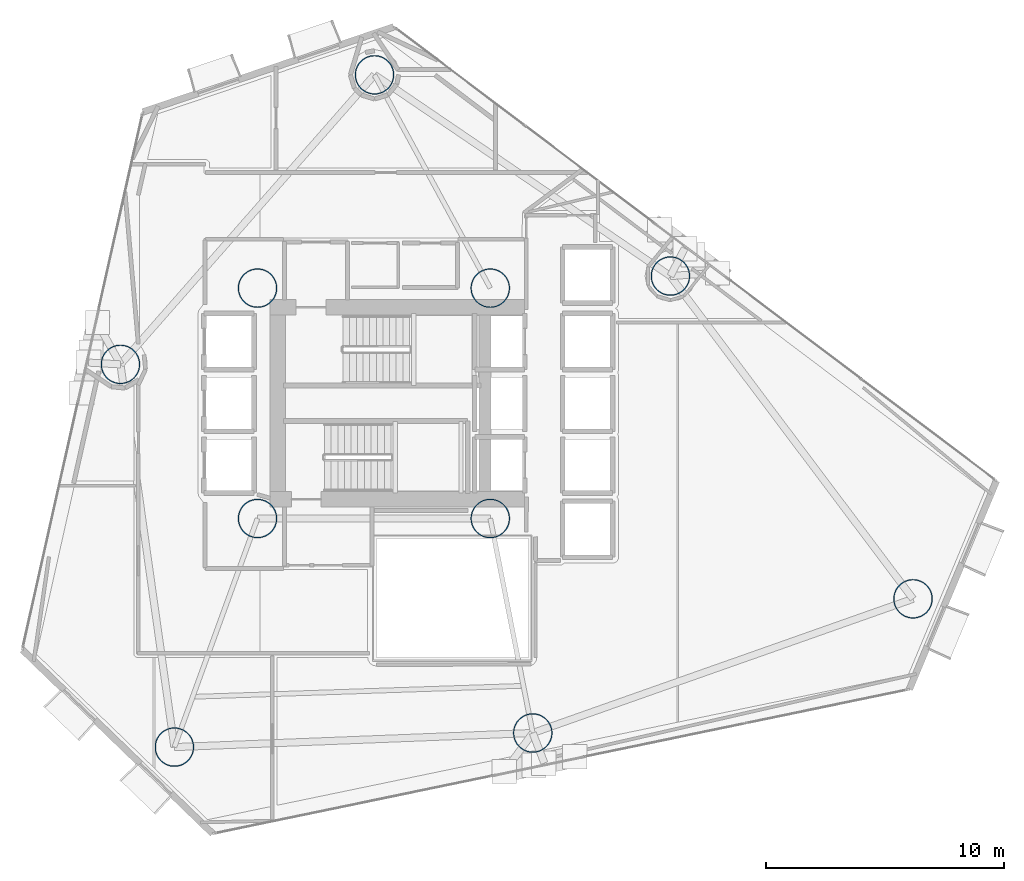
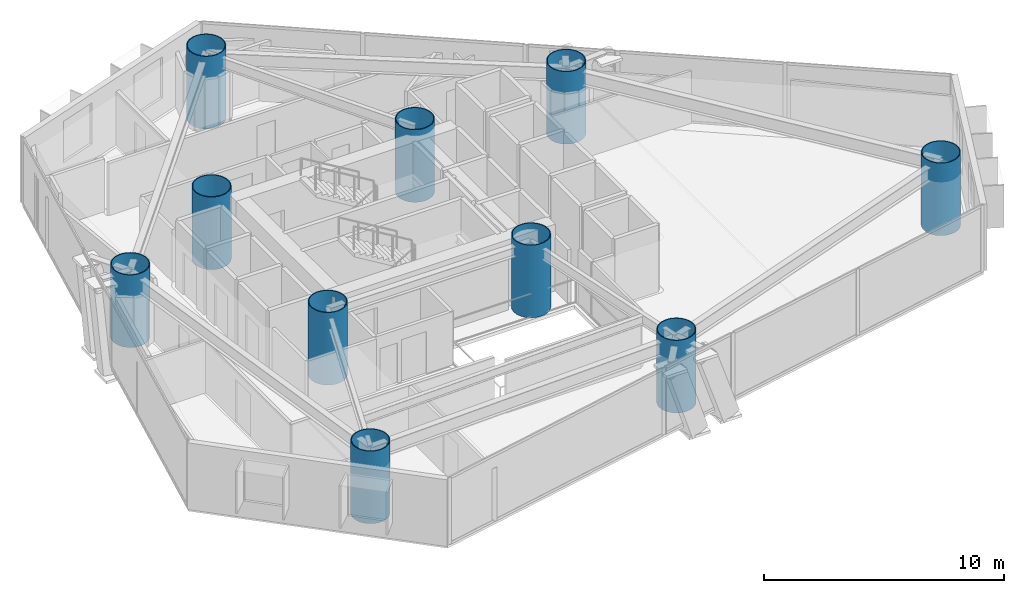
# One storey, part 1 of 22: 10 columns.
"""IFC4 building model written with IfcOpenShell, lengths in metres."""

from ifc_helpers import new_model, si_unit, direction, frame, origin, origin_2d, place, context, subcontext, project, spatial, hollow_circle, extrude, material, material_profile, profile_set, type_object, element, save


model = new_model("IFC4")

# Units and contexts
model_context = context("Model", 3, precision=1e-05, world=origin(), true_north=direction((0.0, 1.0)))
body_context = subcontext(model_context, "Body", "Model", "MODEL_VIEW")
ifc_project = project(units=[si_unit("LENGTHUNIT", "METRE"), si_unit("AREAUNIT", "SQUARE_METRE"), si_unit("VOLUMEUNIT", "CUBIC_METRE"), si_unit("PLANEANGLEUNIT", "RADIAN"), si_unit("MASSUNIT", "GRAM", prefix="KILO")], contexts=[model_context])

# Site, building, storey
site_placement = place(None, origin())
site = spatial("IfcSite", under=ifc_project, at=site_placement, CompositionType="ELEMENT")
building_placement = place(site_placement, origin())
building = spatial("IfcBuilding", under=site, at=building_placement, Name="Qianvela Tower", CompositionType="ELEMENT")
storey_placement = place(building_placement, frame((0.0, 0.0, 89.5)))
storey = spatial("IfcBuildingStorey", under=building, at=storey_placement, Name="L22", CompositionType="ELEMENT", Elevation=89.5)

# Columns
ifc_material = material(Name="Steel Q420GJC", Category="steel")
ifc_material_profile = material_profile(ifc_material, hollow_circle(Radius=0.824951171875, WallThickness=0.0400390625, at=origin_2d()), Name="CFT-1650x40")
ifc_profile_set = profile_set([ifc_material_profile], Name="Steel Q420GJC")
column_type = type_object("IfcColumnType", Name="COL-CFT-1650x40", PredefinedType="COLUMN", material=ifc_profile_set)
for number, where, z_axis, x_axis, name in (
    (1, (28.60009765625, 33.550048828125, 0.0), (0.0, 0.0, 1.0), (1.0, 0.0, 0.0), "L22 Core Corner Mega-Column CC-NW"),
    (2, (28.60009765625, 23.85009765625, 0.0), (0.0, 0.0, 1.0), (1.0, 0.0, 0.0), "L22 Core Corner Mega-Column CC-SW"),
    (3, (38.39990234375, 33.550048828125, 0.0), (0.0, 0.0, 1.0), (1.0, 0.0, 0.0), "L22 Core Corner Mega-Column CC-NE"),
    (4, (38.39990234375, 23.85009765625, 0.0), (0.0, 0.0, 1.0), (1.0, 0.0, 0.0), "L22 Core Corner Mega-Column CC-SE"),
    (5, (56.198974609375, 20.468017578125, 0.0), (0.0, 0.0, 1.0), (1.0, 0.0, 0.0), "L22 Zone Z2 CFT Mega-Column C1"),
    (6, (45.98388671875, 34.056884765625, 0.0), (0.0, 0.0, 1.0), (1.0, 0.0, 0.0), "L22 Zone Z2 CFT Mega-Column C2"),
    (7, (33.52587890625, 42.529052734375, 0.0), (0.0, 0.0, 1.0), (1.0, 0.0, 0.0), "L22 Zone Z2 CFT Mega-Column C3"),
    (8, (22.8291015625, 30.340087890625, 0.0), (0.0, 0.0, 1.0), (1.0, 0.0, 0.0), "L22 Zone Z2 CFT Mega-Column C4"),
    (9, (25.10009765625, 14.22509765625, 0.0), (0.0, 0.0, 1.0), (1.0, 0.0, 0.0), "L22 Zone Z2 CFT Mega-Column C5"),
    (10, (40.18896484375, 14.819091796875, 0.0), (0.0, 0.0, 1.0), (1.0, 0.0, 0.0), "L22 Zone Z2 CFT Mega-Column C6"),
):
    element("IfcColumn", number, at=place(storey_placement, frame(where, z_axis=z_axis, x_axis=x_axis)), inside=storey, type_object=column_type, Name=name, PredefinedType="COLUMN", context=body_context, shape_type="SweptSolid", body=[
        extrude(hollow_circle(Radius=0.824951171875, WallThickness=0.0400390625, at=origin_2d()), origin(), (0.0, 0.0, 1.0), 3.699951171875),
    ])

save(model, "model.ifc")
